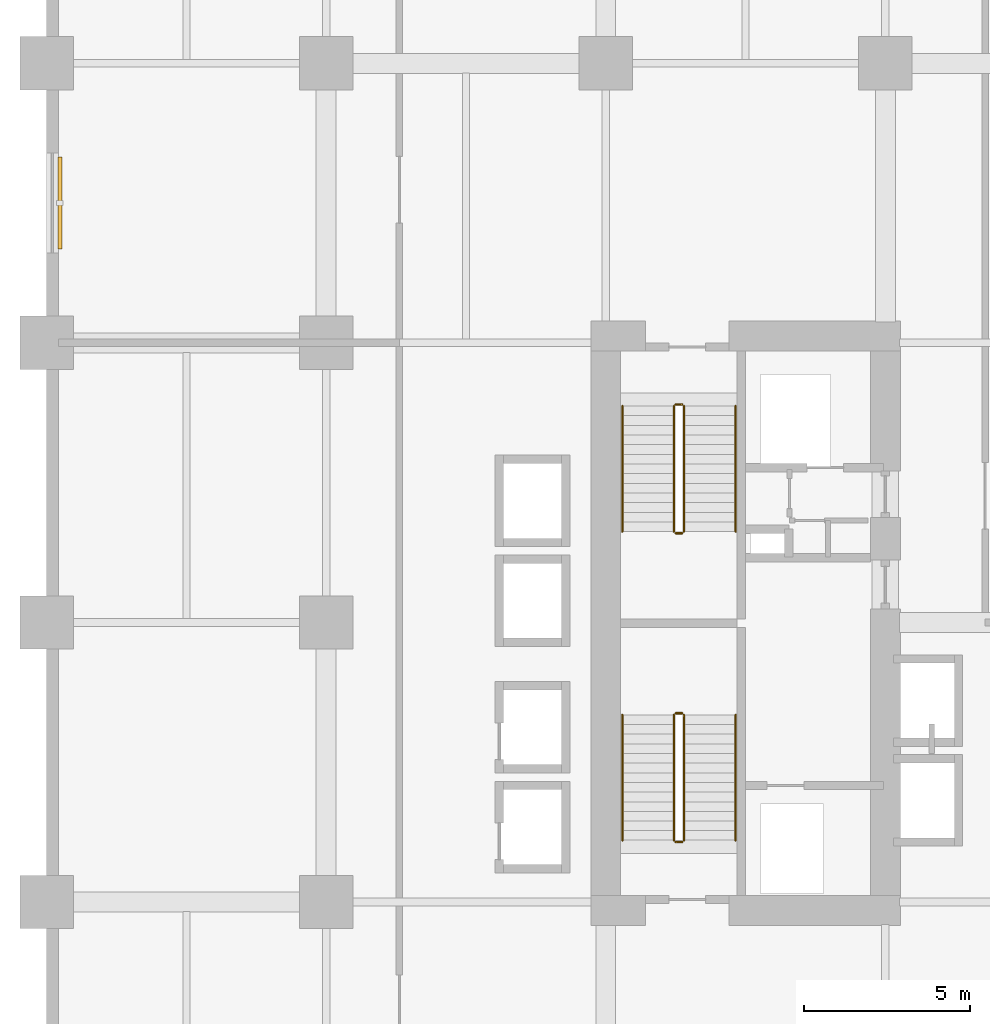
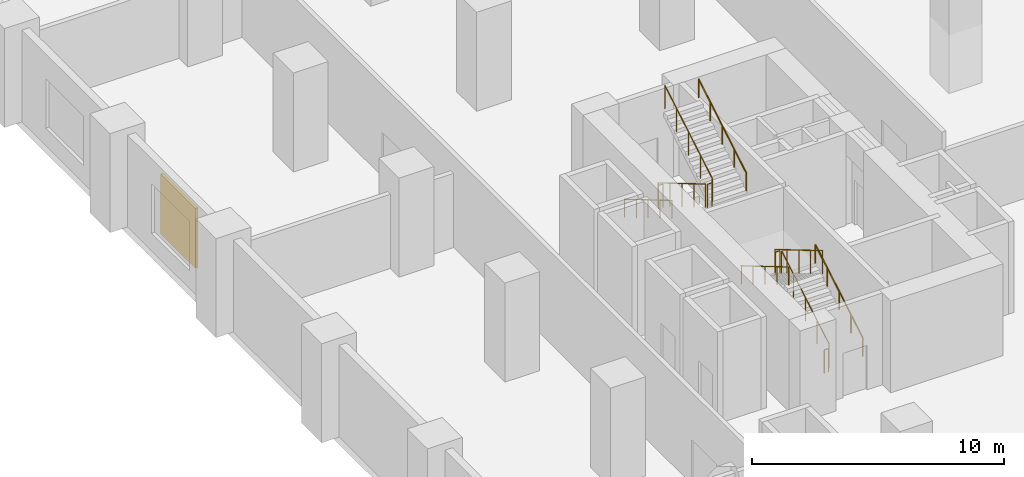
# One storey, part 21 of 22: 12 railings, 1 shading device.
"""IFC4 building model written with IfcOpenShell, lengths in metres."""

from ifc_helpers import new_model, si_unit, direction, frame, origin, origin_2d, place, context, subcontext, project, spatial, rectangle, circle, extrude, material, layer, layer_set, type_object, element, save


model = new_model("IFC4")

# Units and contexts
model_context = context("Model", 3, precision=1e-05, world=origin(), true_north=direction((0.0, 1.0)))
body_context = subcontext(model_context, "Body", "Model", "MODEL_VIEW")
ifc_project = project(units=[si_unit("LENGTHUNIT", "METRE"), si_unit("AREAUNIT", "SQUARE_METRE"), si_unit("VOLUMEUNIT", "CUBIC_METRE"), si_unit("PLANEANGLEUNIT", "RADIAN"), si_unit("MASSUNIT", "GRAM", prefix="KILO")], contexts=[model_context])

# Site, building, storey
site_placement = place(None, origin())
site = spatial("IfcSite", under=ifc_project, at=site_placement, CompositionType="ELEMENT")
building_placement = place(site_placement, origin())
building = spatial("IfcBuilding", under=site, at=building_placement, Name="Koriwani Terraces Tower", CompositionType="ELEMENT")
storey_placement = place(building_placement, frame((0.0, 0.0, 10.800048828125)))
storey = spatial("IfcBuildingStorey", under=building, at=storey_placement, Name="L02", CompositionType="ELEMENT", Elevation=10.800048828125)

# Railings
ifc_material_1 = material(Name="Steel ASTM A572 Grade 50", Category="steel")
railing_type_1 = type_object("IfcRailingType", Name="GUARD_STAIR_WELL_1120", PredefinedType="GUARDRAIL", material=ifc_material_1)
railing_1_placement = place(storey_placement, frame((19.14990234375, 43.85009765625, 0.17138671875)))
element("IfcRailing", 1, at=railing_1_placement, inside=storey, type_object=railing_type_1, Name="L02 ST-W1 stair guard 1", PredefinedType="GUARDRAIL", context=body_context, shape_type="SweptSolid", body=[
    extrude(circle(Radius=0.02392578125, at=origin_2d()), frame((0.0, 0.0, 1.1259765625), z_axis=(0.0, 0.860848830602, 0.508860777473), x_axis=(-1.0, 0.0, 0.0)), (0.0, 0.0, 1.0), 4.37939453125),
    extrude(circle(Radius=0.02099609375, at=origin_2d()), origin(), (0.0, 0.0, 1.0), 1.101806640625),
    extrude(circle(Radius=0.02099609375, at=origin_2d()), frame((0.0, 0.9423828125, 0.55712890625)), (0.0, 0.0, 1.0), 1.101806640625),
    extrude(circle(Radius=0.02099609375, at=origin_2d()), frame((0.0, 1.885009765625, 1.1142578125)), (0.0, 0.0, 1.0), 1.101806640625),
    extrude(circle(Radius=0.02099609375, at=origin_2d()), frame((0.0, 2.82763671875, 1.67138671875)), (0.0, 0.0, 1.0), 1.101806640625),
    extrude(circle(Radius=0.02099609375, at=origin_2d()), frame((0.0, 3.77001953125, 2.228515625)), (0.0, 0.0, 1.0), 1.101806640625),
])
railing_2_placement = place(storey_placement, frame((19.10009765625, 47.669921875, 2.39990234375)))
element("IfcRailing", 2, at=railing_2_placement, inside=storey, type_object=railing_type_1, Name="L02 ST-W1 stair guard 2", PredefinedType="GUARDRAIL", context=body_context, shape_type="SweptSolid", body=[
    extrude(circle(Radius=0.02392578125, at=origin_2d()), frame((0.0, 0.0, 1.1259765625), z_axis=(-1.0, 0.0, 0.0), x_axis=(0.0, -1.0, 0.0)), (0.0, 0.0, 1.0), 0.2001953125),
    extrude(circle(Radius=0.02099609375, at=origin_2d()), origin(), (0.0, 0.0, 1.0), 1.101806640625),
    extrude(circle(Radius=0.02099609375, at=origin_2d()), frame((-0.2001953125, 0.0, 0.0)), (0.0, 0.0, 1.0), 1.101806640625),
])
railing_3_placement = place(storey_placement, frame((18.85009765625, 47.6201171875, 2.5712890625)))
element("IfcRailing", 3, at=railing_3_placement, inside=storey, type_object=railing_type_1, Name="L02 ST-W1 stair guard 3", PredefinedType="GUARDRAIL", context=body_context, shape_type="SweptSolid", body=[
    extrude(circle(Radius=0.02392578125, at=origin_2d()), frame((0.0, 0.0, 1.1259765625), z_axis=(0.0, -0.860824410104, 0.508902087802), x_axis=(1.0, 0.0, 0.0)), (0.0, 0.0, 1.0), 4.379638671875),
    extrude(circle(Radius=0.02099609375, at=origin_2d()), origin(), (0.0, 0.0, 1.0), 1.101806640625),
    extrude(circle(Radius=0.02099609375, at=origin_2d()), frame((0.0, -0.9423828125, 0.55712890625)), (0.0, 0.0, 1.0), 1.101806640625),
    extrude(circle(Radius=0.02099609375, at=origin_2d()), frame((0.0, -1.885009765625, 1.1142578125)), (0.0, 0.0, 1.0), 1.101806640625),
    extrude(circle(Radius=0.02099609375, at=origin_2d()), frame((0.0, -2.82763671875, 1.671630859375)), (0.0, 0.0, 1.0), 1.101806640625),
    extrude(circle(Radius=0.02099609375, at=origin_2d()), frame((0.0, -3.77001953125, 2.228759765625)), (0.0, 0.0, 1.0), 1.101806640625),
])
railing_4_placement = place(storey_placement, frame((19.10009765625, 43.800048828125, 0.0)))
element("IfcRailing", 4, at=railing_4_placement, inside=storey, type_object=railing_type_1, Name="L02 ST-W1 stair guard 4", PredefinedType="GUARDRAIL", context=body_context, shape_type="SweptSolid", body=[
    extrude(circle(Radius=0.02392578125, at=origin_2d()), frame((0.0, 0.0, 1.1259765625), z_axis=(-1.0, 0.0, 0.0), x_axis=(0.0, -1.0, 0.0)), (0.0, 0.0, 1.0), 0.2001953125),
    extrude(circle(Radius=0.02099609375, at=origin_2d()), origin(), (0.0, 0.0, 1.0), 1.101806640625),
    extrude(circle(Radius=0.02099609375, at=origin_2d()), frame((-0.2001953125, 0.0, 0.0)), (0.0, 0.0, 1.0), 1.101806640625),
])
railing_5_placement = place(storey_placement, frame((18.85009765625, 56.89990234375, 0.17138671875)))
element("IfcRailing", 5, at=railing_5_placement, inside=storey, type_object=railing_type_1, Name="L02 ST-W2 stair guard 1", PredefinedType="GUARDRAIL", context=body_context, shape_type="SweptSolid", body=[
    extrude(circle(Radius=0.02392578125, at=origin_2d()), frame((0.0, 0.0, 1.1259765625), z_axis=(0.0, -0.860848830602, 0.508860777473), x_axis=(1.0, 0.0, 0.0)), (0.0, 0.0, 1.0), 4.37939453125),
    extrude(circle(Radius=0.02099609375, at=origin_2d()), origin(), (0.0, 0.0, 1.0), 1.101806640625),
    extrude(circle(Radius=0.02099609375, at=origin_2d()), frame((0.0, -0.9423828125, 0.55712890625)), (0.0, 0.0, 1.0), 1.101806640625),
    extrude(circle(Radius=0.02099609375, at=origin_2d()), frame((0.0, -1.885009765625, 1.1142578125)), (0.0, 0.0, 1.0), 1.101806640625),
    extrude(circle(Radius=0.02099609375, at=origin_2d()), frame((0.0, -2.82763671875, 1.67138671875)), (0.0, 0.0, 1.0), 1.101806640625),
    extrude(circle(Radius=0.02099609375, at=origin_2d()), frame((0.0, -3.77001953125, 2.228515625)), (0.0, 0.0, 1.0), 1.101806640625),
])
railing_6_placement = place(storey_placement, frame((18.89990234375, 53.080078125, 2.39990234375)))
element("IfcRailing", 6, at=railing_6_placement, inside=storey, type_object=railing_type_1, Name="L02 ST-W2 stair guard 2", PredefinedType="GUARDRAIL", context=body_context, shape_type="SweptSolid", body=[
    extrude(circle(Radius=0.02392578125, at=origin_2d()), frame((0.0, 0.0, 1.1259765625), z_axis=(1.0, 0.0, 0.0), x_axis=(0.0, 1.0, 0.0)), (0.0, 0.0, 1.0), 0.2001953125),
    extrude(circle(Radius=0.02099609375, at=origin_2d()), origin(), (0.0, 0.0, 1.0), 1.101806640625),
    extrude(circle(Radius=0.02099609375, at=origin_2d()), frame((0.2001953125, 0.0, 0.0)), (0.0, 0.0, 1.0), 1.101806640625),
])
railing_7_placement = place(storey_placement, frame((19.14990234375, 53.1298828125, 2.5712890625)))
element("IfcRailing", 7, at=railing_7_placement, inside=storey, type_object=railing_type_1, Name="L02 ST-W2 stair guard 3", PredefinedType="GUARDRAIL", context=body_context, shape_type="SweptSolid", body=[
    extrude(circle(Radius=0.02392578125, at=origin_2d()), frame((0.0, 0.0, 1.1259765625), z_axis=(0.0, 0.860824410104, 0.508902087802), x_axis=(-1.0, 0.0, 0.0)), (0.0, 0.0, 1.0), 4.379638671875),
    extrude(circle(Radius=0.02099609375, at=origin_2d()), origin(), (0.0, 0.0, 1.0), 1.101806640625),
    extrude(circle(Radius=0.02099609375, at=origin_2d()), frame((0.0, 0.9423828125, 0.55712890625)), (0.0, 0.0, 1.0), 1.101806640625),
    extrude(circle(Radius=0.02099609375, at=origin_2d()), frame((0.0, 1.885009765625, 1.1142578125)), (0.0, 0.0, 1.0), 1.101806640625),
    extrude(circle(Radius=0.02099609375, at=origin_2d()), frame((0.0, 2.82763671875, 1.671630859375)), (0.0, 0.0, 1.0), 1.101806640625),
    extrude(circle(Radius=0.02099609375, at=origin_2d()), frame((0.0, 3.77001953125, 2.228759765625)), (0.0, 0.0, 1.0), 1.101806640625),
])
railing_8_placement = place(storey_placement, frame((18.89990234375, 56.949951171875, 0.0)))
element("IfcRailing", 8, at=railing_8_placement, inside=storey, type_object=railing_type_1, Name="L02 ST-W2 stair guard 4", PredefinedType="GUARDRAIL", context=body_context, shape_type="SweptSolid", body=[
    extrude(circle(Radius=0.02392578125, at=origin_2d()), frame((0.0, 0.0, 1.1259765625), z_axis=(1.0, 0.0, 0.0), x_axis=(0.0, 1.0, 0.0)), (0.0, 0.0, 1.0), 0.2001953125),
    extrude(circle(Radius=0.02099609375, at=origin_2d()), origin(), (0.0, 0.0, 1.0), 1.101806640625),
    extrude(circle(Radius=0.02099609375, at=origin_2d()), frame((0.2001953125, 0.0, 0.0)), (0.0, 0.0, 1.0), 1.101806640625),
])
railing_type_2 = type_object("IfcRailingType", Name="HANDRAIL_STAIR_920", PredefinedType="HANDRAIL", material=ifc_material_1)
railing_9_placement = place(storey_placement, frame((20.699951171875, 43.85009765625, 0.17138671875)))
element("IfcRailing", 9, at=railing_9_placement, inside=storey, type_object=railing_type_2, Name="L02 ST-W1 stair handrail 1", PredefinedType="HANDRAIL", context=body_context, shape_type="SweptSolid", body=[
    extrude(circle(Radius=0.02392578125, at=origin_2d()), frame((0.0, 0.0, 0.8759765625), z_axis=(0.0, 0.860848830602, 0.508860777473), x_axis=(-1.0, 0.0, 0.0)), (0.0, 0.0, 1.0), 4.37939453125),
    extrude(circle(Radius=0.02099609375, at=origin_2d()), origin(), (0.0, 0.0, 1.0), 0.851806640625),
    extrude(circle(Radius=0.02099609375, at=origin_2d()), frame((0.0, 0.9423828125, 0.55712890625)), (0.0, 0.0, 1.0), 0.851806640625),
    extrude(circle(Radius=0.02099609375, at=origin_2d()), frame((0.0, 1.885009765625, 1.1142578125)), (0.0, 0.0, 1.0), 0.851806640625),
    extrude(circle(Radius=0.02099609375, at=origin_2d()), frame((0.0, 2.82763671875, 1.67138671875)), (0.0, 0.0, 1.0), 0.851806640625),
    extrude(circle(Radius=0.02099609375, at=origin_2d()), frame((0.0, 3.77001953125, 2.228515625)), (0.0, 0.0, 1.0), 0.851806640625),
])
railing_10_placement = place(storey_placement, frame((17.300048828125, 47.6201171875, 2.5712890625)))
element("IfcRailing", 10, at=railing_10_placement, inside=storey, type_object=railing_type_2, Name="L02 ST-W1 stair handrail 2", PredefinedType="HANDRAIL", context=body_context, shape_type="SweptSolid", body=[
    extrude(circle(Radius=0.02392578125, at=origin_2d()), frame((0.0, 0.0, 0.8759765625), z_axis=(0.0, -0.860824410104, 0.508902087802), x_axis=(1.0, 0.0, 0.0)), (0.0, 0.0, 1.0), 4.379638671875),
    extrude(circle(Radius=0.02099609375, at=origin_2d()), origin(), (0.0, 0.0, 1.0), 0.851806640625),
    extrude(circle(Radius=0.02099609375, at=origin_2d()), frame((0.0, -0.9423828125, 0.55712890625)), (0.0, 0.0, 1.0), 0.851806640625),
    extrude(circle(Radius=0.02099609375, at=origin_2d()), frame((0.0, -1.885009765625, 1.1142578125)), (0.0, 0.0, 1.0), 0.851806640625),
    extrude(circle(Radius=0.02099609375, at=origin_2d()), frame((0.0, -2.82763671875, 1.671630859375)), (0.0, 0.0, 1.0), 0.851806640625),
    extrude(circle(Radius=0.02099609375, at=origin_2d()), frame((0.0, -3.77001953125, 2.228759765625)), (0.0, 0.0, 1.0), 0.851806640625),
])
railing_11_placement = place(storey_placement, frame((17.300048828125, 56.89990234375, 0.17138671875)))
element("IfcRailing", 11, at=railing_11_placement, inside=storey, type_object=railing_type_2, Name="L02 ST-W2 stair handrail 1", PredefinedType="HANDRAIL", context=body_context, shape_type="SweptSolid", body=[
    extrude(circle(Radius=0.02392578125, at=origin_2d()), frame((0.0, 0.0, 0.8759765625), z_axis=(0.0, -0.860848830602, 0.508860777473), x_axis=(1.0, 0.0, 0.0)), (0.0, 0.0, 1.0), 4.37939453125),
    extrude(circle(Radius=0.02099609375, at=origin_2d()), origin(), (0.0, 0.0, 1.0), 0.851806640625),
    extrude(circle(Radius=0.02099609375, at=origin_2d()), frame((0.0, -0.9423828125, 0.55712890625)), (0.0, 0.0, 1.0), 0.851806640625),
    extrude(circle(Radius=0.02099609375, at=origin_2d()), frame((0.0, -1.885009765625, 1.1142578125)), (0.0, 0.0, 1.0), 0.851806640625),
    extrude(circle(Radius=0.02099609375, at=origin_2d()), frame((0.0, -2.82763671875, 1.67138671875)), (0.0, 0.0, 1.0), 0.851806640625),
    extrude(circle(Radius=0.02099609375, at=origin_2d()), frame((0.0, -3.77001953125, 2.228515625)), (0.0, 0.0, 1.0), 0.851806640625),
])
railing_12_placement = place(storey_placement, frame((20.699951171875, 53.1298828125, 2.5712890625)))
element("IfcRailing", 12, at=railing_12_placement, inside=storey, type_object=railing_type_2, Name="L02 ST-W2 stair handrail 2", PredefinedType="HANDRAIL", context=body_context, shape_type="SweptSolid", body=[
    extrude(circle(Radius=0.02392578125, at=origin_2d()), frame((0.0, 0.0, 0.8759765625), z_axis=(0.0, 0.860824410104, 0.508902087802), x_axis=(-1.0, 0.0, 0.0)), (0.0, 0.0, 1.0), 4.379638671875),
    extrude(circle(Radius=0.02099609375, at=origin_2d()), origin(), (0.0, 0.0, 1.0), 0.851806640625),
    extrude(circle(Radius=0.02099609375, at=origin_2d()), frame((0.0, 0.9423828125, 0.55712890625)), (0.0, 0.0, 1.0), 0.851806640625),
    extrude(circle(Radius=0.02099609375, at=origin_2d()), frame((0.0, 1.885009765625, 1.1142578125)), (0.0, 0.0, 1.0), 0.851806640625),
    extrude(circle(Radius=0.02099609375, at=origin_2d()), frame((0.0, 2.82763671875, 1.671630859375)), (0.0, 0.0, 1.0), 0.851806640625),
    extrude(circle(Radius=0.02099609375, at=origin_2d()), frame((0.0, 3.77001953125, 2.228759765625)), (0.0, 0.0, 1.0), 0.851806640625),
])

# Shading device
ifc_material_2 = material(Name="Extruded Terracotta Clay", Category="masonry")
ifc_layer = layer(ifc_material_2, 0.1201171875, Name="Extruded Terracotta Clay")
ifc_layer_set = layer_set([ifc_layer], Name="Extruded Terracotta Clay")
shading_device_type = type_object("IfcShadingDeviceType", Name="TERRACOTTA_BAGUETTE_SCREEN_2800", PredefinedType="USERDEFINED", material=ifc_layer_set)
shading_device_placement = place(storey_placement, frame((0.405029296875, 63.0, 0.77490234375), z_axis=(0.0, 0.0, 1.0), x_axis=(0.0, 1.0, 0.0)))
element("IfcShadingDevice", 13, at=shading_device_placement, inside=storey, type_object=shading_device_type, Name="L02 Extruded Terracotta Baguette Screen (W-21)", ObjectType="BAGUETTE", PredefinedType="USERDEFINED", context=body_context, shape_type="SweptSolid", body=[
    extrude(rectangle(XDim=2.760009765625, YDim=0.1201171875, at=origin_2d()), origin(), (0.0, 0.0, 1.0), 2.89990234375),
])

save(model, "model.ifc")
